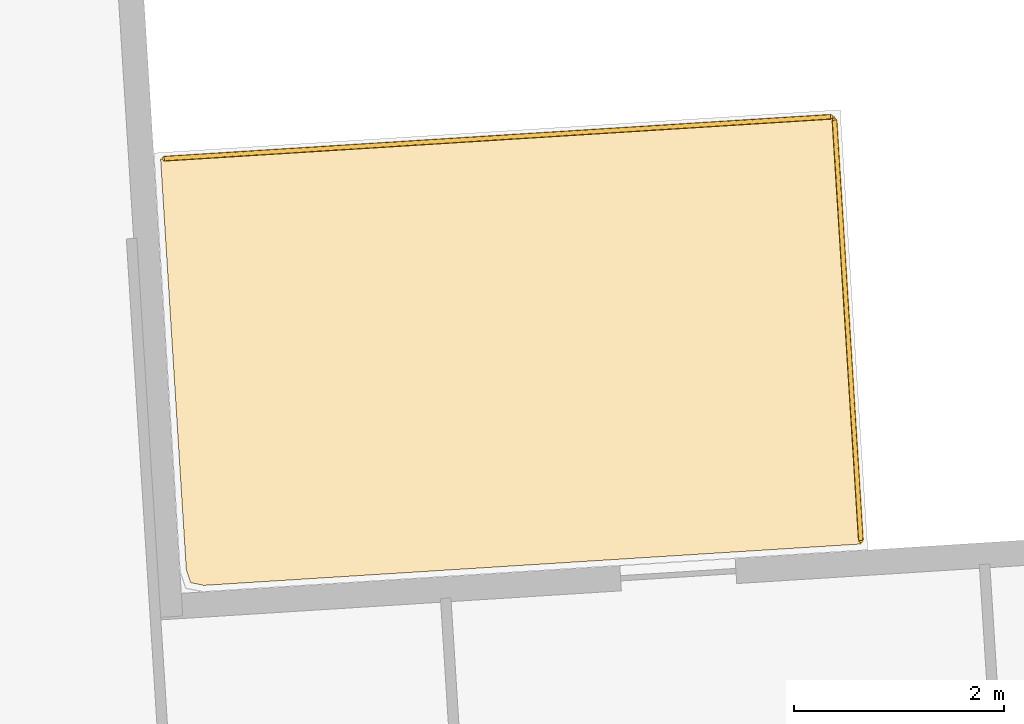
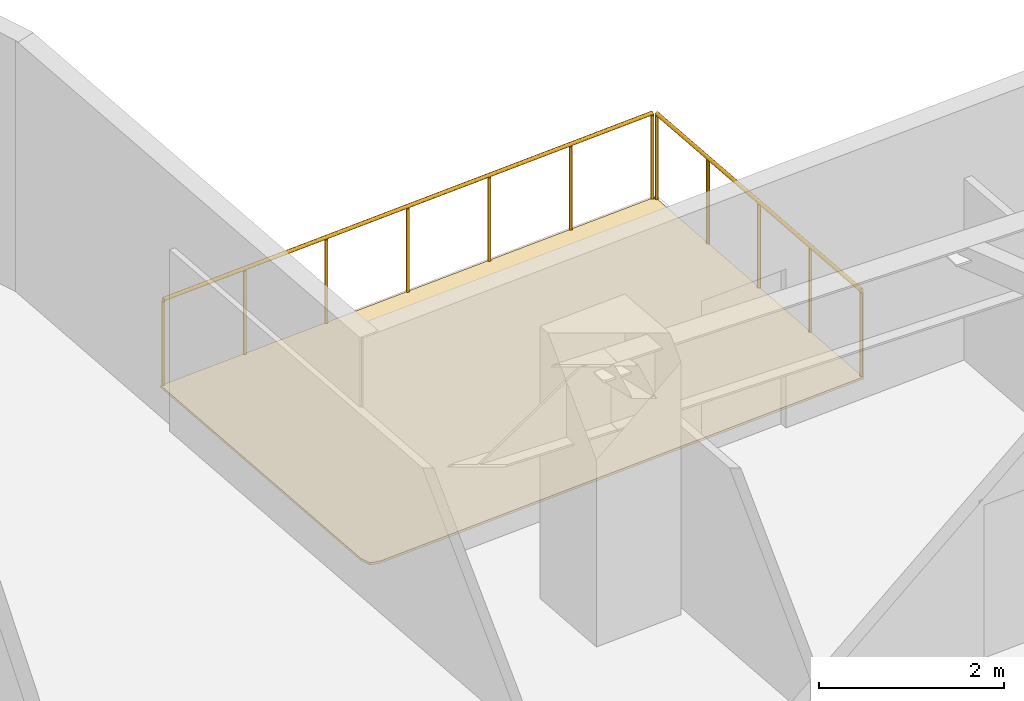
# One storey, part 16 of 16: 2 railings, 1 covering.
"""IFC4 building model written with IfcOpenShell, lengths in metres."""

from ifc_helpers import new_model, si_unit, direction, frame, origin, origin_2d, place, context, subcontext, project, spatial, polyline, circle, outline, extrude, material, layer, layer_set, type_object, element, save


model = new_model("IFC4")

# Units and contexts
model_context = context("Model", 3, precision=1e-05, world=origin(), true_north=direction((0.0, 1.0)))
body_context = subcontext(model_context, "Body", "Model", "MODEL_VIEW")
ifc_project = project(units=[si_unit("LENGTHUNIT", "METRE"), si_unit("AREAUNIT", "SQUARE_METRE"), si_unit("VOLUMEUNIT", "CUBIC_METRE"), si_unit("PLANEANGLEUNIT", "RADIAN"), si_unit("MASSUNIT", "GRAM", prefix="KILO")], contexts=[model_context])

# Site, building, storey
site_placement = place(None, origin())
site = spatial("IfcSite", under=ifc_project, at=site_placement, CompositionType="ELEMENT")
building_placement = place(site_placement, origin())
building = spatial("IfcBuilding", under=site, at=building_placement, Name="Solmarez Civic Tower", CompositionType="ELEMENT")
storey_placement = place(building_placement, frame((0.0, 0.0, 53.280029296875)))
storey = spatial("IfcBuildingStorey", under=building, at=storey_placement, Name="L13", CompositionType="ELEMENT", Elevation=53.280029296875)

# Covering
ifc_material_1 = material(Name="Elastomeric Terrace Waterproofing Membrane")
ifc_layer = layer(ifc_material_1, 0.030029296875)
ifc_layer_set = layer_set([ifc_layer], Name="Elastomeric Terrace Waterproofing Membrane")
covering_type = type_object("IfcCoveringType", Name="COV-MEMBRANE-ROOF", PredefinedType="ROOFING", material=ifc_layer_set)
covering_placement = place(storey_placement, origin())
element("IfcCovering", 1, at=covering_placement, inside=storey, type_object=covering_type, Name="L13 Balcony Waterproofing NE", PredefinedType="ROOFING", context=body_context, shape_type="SweptSolid", body=[
    extrude(outline(polyline([(14.1669921875, 7.52392578125), (14.208984375, 7.402099609375), (14.333984375, 7.3759765625), (20.592041015625, 7.77001953125), (20.3369140625, 11.840087890625), (13.922119140625, 11.43701171875), (14.1669921875, 7.52392578125)])), origin(), (0.0, 0.0, 1.0), 0.030029296875),
])

# Railings
ifc_material_2 = material(Name="Bronze Anodised Aluminium and Laminated Safety Glass Balustrade", Category="aluminium")
railing_type = type_object("IfcRailingType", Name="GUARD-TERR-1180", PredefinedType="BALUSTRADE", material=ifc_material_2)
railing_1_placement = place(storey_placement, frame((20.590087890625, 7.804931640625, 0.0)))
element("IfcRailing", 2, at=railing_1_placement, inside=storey, type_object=railing_type, Name="L13 Safety Balustrade GRD-BALC-L13-NE-1", PredefinedType="BALUSTRADE", context=body_context, shape_type="SweptSolid", body=[
    extrude(circle(Radius=0.02392578125, at=origin_2d()), frame((0.0, 0.0, 1.15576171875), z_axis=(-0.062620997681, 0.998037379385, 0.0), x_axis=(-0.998037379385, -0.062620997681, 0.0)), (0.0, 0.0, 1.0), 4.0078125),
    extrude(circle(Radius=0.02099609375, at=origin_2d()), origin(), (0.0, 0.0, 1.0), 1.1318359375),
    extrude(circle(Radius=0.02099609375, at=origin_2d()), frame((-0.062744140625, 1.0, 0.0)), (0.0, 0.0, 1.0), 1.1318359375),
    extrude(circle(Radius=0.02099609375, at=origin_2d()), frame((-0.12548828125, 2.0, 0.0)), (0.0, 0.0, 1.0), 1.1318359375),
    extrude(circle(Radius=0.02099609375, at=origin_2d()), frame((-0.188232421875, 3.0, 0.0)), (0.0, 0.0, 1.0), 1.1318359375),
    extrude(circle(Radius=0.02099609375, at=origin_2d()), frame((-0.2509765625, 4.0, 0.0)), (0.0, 0.0, 1.0), 1.1318359375),
])
railing_2_placement = place(storey_placement, frame((20.302001953125, 11.837890625, 0.0)))
element("IfcRailing", 3, at=railing_2_placement, inside=storey, type_object=railing_type, Name="L13 Safety Balustrade GRD-BALC-L13-NE-2", PredefinedType="BALUSTRADE", context=body_context, shape_type="SweptSolid", body=[
    extrude(circle(Radius=0.02392578125, at=origin_2d()), frame((0.0, 0.0, 1.15576171875), z_axis=(-0.998029348953, -0.062748853599, 0.0), x_axis=(0.062748853599, -0.998029348953, 0.0)), (0.0, 0.0, 1.0), 6.357421875),
    extrude(circle(Radius=0.02099609375, at=origin_2d()), origin(), (0.0, 0.0, 1.0), 1.1318359375),
    extrude(circle(Radius=0.02099609375, at=origin_2d()), frame((-1.0576171875, -0.06640625, 0.0)), (0.0, 0.0, 1.0), 1.1318359375),
    extrude(circle(Radius=0.02099609375, at=origin_2d()), frame((-2.114990234375, -0.133056640625, 0.0)), (0.0, 0.0, 1.0), 1.1318359375),
    extrude(circle(Radius=0.02099609375, at=origin_2d()), frame((-3.17236328125, -0.199462890625, 0.0)), (0.0, 0.0, 1.0), 1.1318359375),
    extrude(circle(Radius=0.02099609375, at=origin_2d()), frame((-4.22998046875, -0.265869140625, 0.0)), (0.0, 0.0, 1.0), 1.1318359375),
    extrude(circle(Radius=0.02099609375, at=origin_2d()), frame((-5.28759765625, -0.33251953125, 0.0)), (0.0, 0.0, 1.0), 1.1318359375),
    extrude(circle(Radius=0.02099609375, at=origin_2d()), frame((-6.344970703125, -0.39892578125, 0.0)), (0.0, 0.0, 1.0), 1.1318359375),
])

save(model, "model.ifc")
